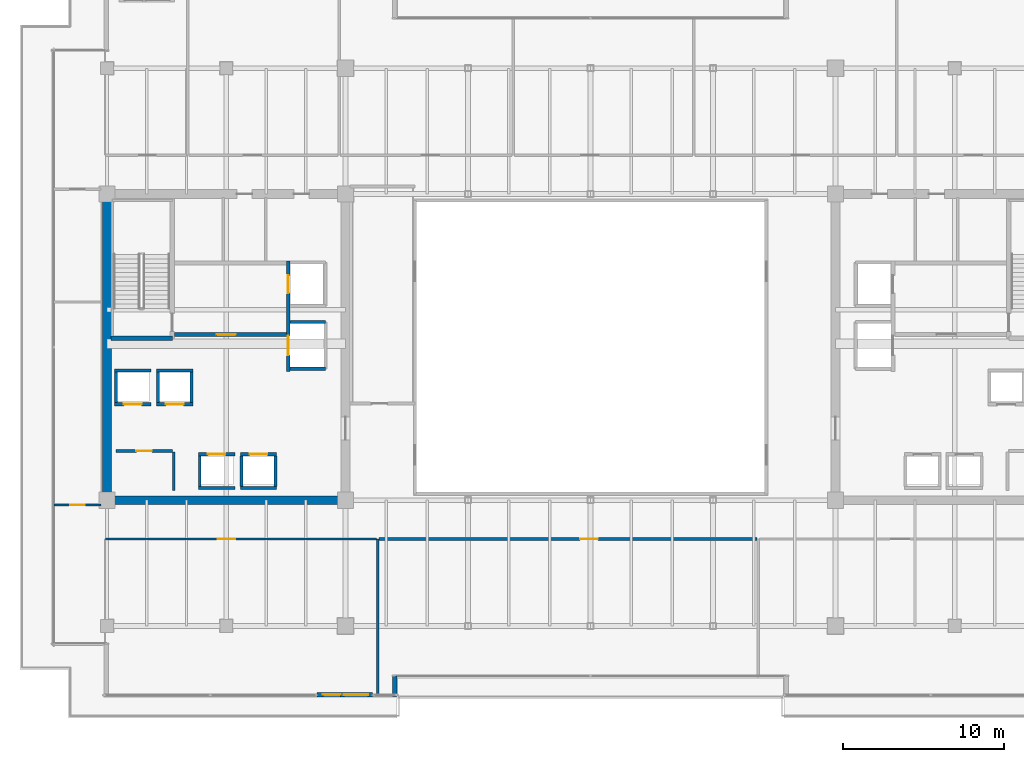
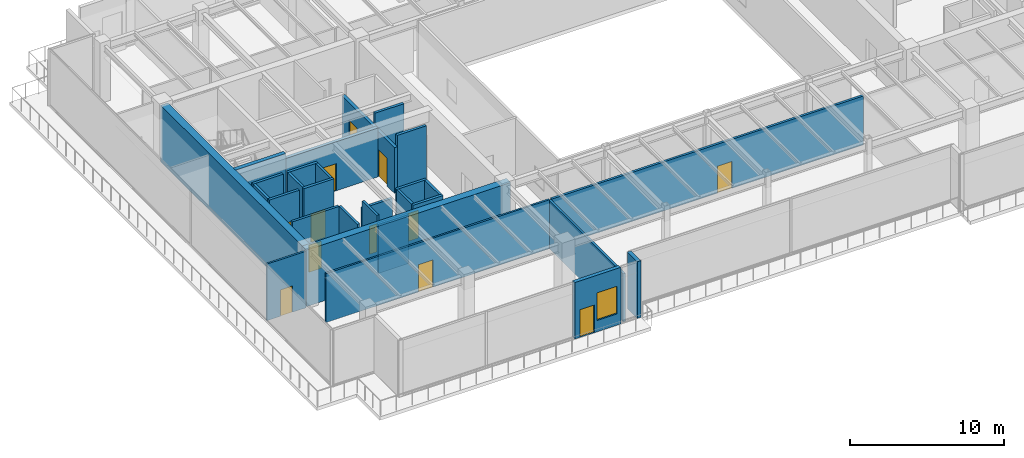
# One storey, part 28 of 37: 29 walls, 12 doors, 1 window, 13 openings.
"""IFC4 building model written with IfcOpenShell, lengths in metres."""

from ifc_helpers import new_model, si_unit, direction, frame, frame_2d, origin, place, context, subcontext, project, spatial, rectangle, extrude, source, transform, mapped, material, layer, layer_set, type_object, type_shapes, element, fill, save


model = new_model("IFC4")

# Units and contexts
model_context = context("Model", 3, precision=1e-05, world=origin(), true_north=direction((0.0, 1.0)))
body_context = subcontext(model_context, "Body", "Model", "MODEL_VIEW")
ifc_project = project(units=[si_unit("LENGTHUNIT", "METRE"), si_unit("AREAUNIT", "SQUARE_METRE"), si_unit("VOLUMEUNIT", "CUBIC_METRE"), si_unit("PLANEANGLEUNIT", "RADIAN"), si_unit("MASSUNIT", "GRAM", prefix="KILO")], contexts=[model_context])

# Site, building, storey
site_placement = place(None, origin())
site = spatial("IfcSite", under=ifc_project, at=site_placement, CompositionType="ELEMENT")
building_placement = place(site_placement, origin())
building = spatial("IfcBuilding", under=site, at=building_placement, Name="Haelvirn Gate Laboratories", CompositionType="ELEMENT")
storey_placement = place(building_placement, frame((0.0, 0.0, 196.60009765625)))
storey = spatial("IfcBuildingStorey", under=building, at=storey_placement, Name="L47", CompositionType="ELEMENT", Elevation=196.60009765625)

# Wall, openings, door, window
ifc_material_1 = material(Name="Thermally-broken bronze aluminium rainscreen & mineral wool", Category="aluminium")
ifc_layer_1 = layer(ifc_material_1, 0.280029296875, Name="EW-TERR-280")
ifc_layer_set_1 = layer_set([ifc_layer_1], Name="Thermally-broken bronze aluminium rainscreen & mineral wool")
wall_type_1 = type_object("IfcWallType", Name="EW-TERR-280", PredefinedType="STANDARD", material=ifc_layer_set_1)
wall_1_placement = place(storey_placement, frame((20.422119140625, 2.739990234375, 0.0), z_axis=(0.0, 0.0, 1.0), x_axis=(1.0, 0.0, 0.0)))
wall_1 = element("IfcWall", 1, at=wall_1_placement, inside=storey, type_object=wall_type_1, Name="L47 Terrace Access Wall SETB-S", PredefinedType="STANDARD", context=body_context, shape_type="SweptSolid", body=[
    extrude(rectangle(XDim=3.455810546875, YDim=0.280029296875, at=frame_2d((1.72802734375, 0.0))), origin(), (0.0, 0.0, 1.0), 4.5),
])
opening_1_placement = place(wall_1_placement, frame((0.3779296875, 0.0, 0.0)))
opening_1 = element("IfcOpeningElement", 2, at=opening_1_placement, cuts=wall_1, Name="Opening TD1", PredefinedType="OPENING", context=body_context, shape_type="SweptSolid", body=[
    extrude(rectangle(XDim=1.10009765625, YDim=2.199951171875, at=frame_2d((0.550048828125, 1.10009765625))), frame((0.0, 0.14990234375, 0.0), z_axis=(0.0, -1.0, 0.0), x_axis=(1.0, 0.0, 0.0)), (0.0, 0.0, 1.0), 0.300048828125),
])
opening_2_placement = place(wall_1_placement, frame((1.677978515625, 0.0, 0.89990234375)))
opening_2 = element("IfcOpeningElement", 3, at=opening_2_placement, cuts=wall_1, Name="Opening W3", PredefinedType="OPENING", context=body_context, shape_type="SweptSolid", body=[
    extrude(rectangle(XDim=1.5, YDim=2.199951171875, at=frame_2d((0.75, 1.10009765625))), frame((0.0, 0.14990234375, 0.0), z_axis=(0.0, -1.0, 0.0), x_axis=(1.0, 0.0, 0.0)), (0.0, 0.0, 1.0), 0.300048828125),
])
ifc_material_2 = material(Name="Thermally-broken bronze aluminium glazed terrace door", Category="aluminium")
door_type_1 = type_object("IfcDoorType", Name="DR-TERR-1100", OperationType="NOTDEFINED", PredefinedType="DOOR", material=ifc_material_2)
shared_shape_1 = source(origin(), body_context, "Body", "SweptSolid", [
    extrude(rectangle(XDim=1.10009765625, YDim=2.199951171875, at=frame_2d((0.550048828125, 1.10009765625))), frame((0.0, 0.02490234375, 0.0), z_axis=(0.0, -1.0, 0.0), x_axis=(1.0, 0.0, 0.0)), (0.0, 0.0, 1.0), 0.050048828125),
])
type_shapes(door_type_1, [shared_shape_1])
door_1_placement = place(opening_1_placement, origin())
door_1 = element("IfcDoor", 4, at=door_1_placement, inside=storey, type_object=door_type_1, Name="L47 Terrace Access Door SETB-S", OperationType="SINGLE_SWING_LEFT", OverallHeight=2.199951171875, OverallWidth=1.10009765625, PredefinedType="DOOR", context=body_context, shape_type="MappedRepresentation", body=[
    mapped(shared_shape_1, transform((0.0, 0.0, 0.0), scale=1.0)),
])
fill(opening_1, door_1)
ifc_material_3 = material(Name="Bronze anodised aluminium & triple low-E glass", Category="aluminium")
window_type = type_object("IfcWindowType", Name="WIN-TERR-1600", PartitioningType="SINGLE_PANEL", PredefinedType="WINDOW", material=ifc_material_3)
shared_shape_2 = source(origin(), body_context, "Body", "SweptSolid", [
    extrude(rectangle(XDim=1.5, YDim=2.199951171875, at=frame_2d((0.75, 1.10009765625))), frame((0.0, 0.030029296875, 0.0), z_axis=(0.0, -1.0, 0.0), x_axis=(1.0, 0.0, 0.0)), (0.0, 0.0, 1.0), 0.06005859375),
])
type_shapes(window_type, [shared_shape_2])
window_placement = place(opening_2_placement, origin())
window = element("IfcWindow", 5, at=window_placement, inside=storey, type_object=window_type, Name="L47 Terrace Vision Window SETB-S", OverallHeight=2.199951171875, OverallWidth=1.5, PartitioningType="SINGLE_PANEL", PredefinedType="WINDOW", context=body_context, shape_type="MappedRepresentation", body=[
    mapped(shared_shape_2, transform((0.0, 0.0, 0.0), scale=1.0)),
])
fill(opening_2, window)

# Walls
wall_2_placement = place(storey_placement, frame((25.260009765625, 2.60009765625, 0.0), z_axis=(0.0, 0.0, 1.0), x_axis=(0.0, 1.0, 0.0)))
element("IfcWall", 6, at=wall_2_placement, inside=storey, type_object=wall_type_1, Name="L47 Atrium Recess Bronze Return Wall 01", PredefinedType="STANDARD", context=body_context, shape_type="SweptSolid", body=[
    extrude(rectangle(XDim=1.29296875, YDim=0.280029296875, at=frame_2d((0.646484375, 0.0))), origin(), (0.0, 0.0, 1.0), 4.5),
])
ifc_material_4 = material(Name="Double-layer acoustic gypsum laboratory partition", Category="gypsum")
ifc_layer_2 = layer(ifc_material_4, 0.159912109375, Name="IW-ACOUST-160")
ifc_layer_set_2 = layer_set([ifc_layer_2], Name="Double-layer acoustic gypsum laboratory partition")
wall_type_2 = type_object("IfcWallType", Name="IW-ACOUST-160", PredefinedType="PARTITIONING", material=ifc_layer_set_2)
wall_3_placement = place(storey_placement, frame((24.199951171875, 2.7099609375, 0.0), z_axis=(0.0, 0.0, 1.0), x_axis=(0.0, 1.0, 0.0)))
element("IfcWall", 7, at=wall_3_placement, inside=storey, type_object=wall_type_2, Name="L47 Interior Wall IW-L47-SDIV-01", PredefinedType="PARTITIONING", context=body_context, shape_type="SweptSolid", body=[
    extrude(rectangle(XDim=9.679931640625, YDim=0.159912109375, at=frame_2d((4.83984375, 0.0))), origin(), (0.0, 0.0, 1.0), 3.8349609375),
])

# Wall, opening, door
ifc_material_5 = material(Name="Fire-rated acoustic gypsum board partition", Category="gypsum")
ifc_layer_3 = layer(ifc_material_5, 0.175048828125, Name="IW-ACOUST-180")
ifc_layer_set_3 = layer_set([ifc_layer_3], Name="Fire-rated acoustic gypsum board partition")
wall_type_3 = type_object("IfcWallType", Name="IW-ACOUST-180", PredefinedType="PARTITIONING", material=ifc_layer_set_3)
wall_4_placement = place(storey_placement, frame((24.280029296875, 12.389892578125, 0.0), z_axis=(0.0, 0.0, 1.0), x_axis=(1.0, 0.0, 0.0)))
wall_4 = element("IfcWall", 8, at=wall_4_placement, inside=storey, type_object=wall_type_3, Name="L47 Interior Wall IW-L47-SCORR-02", PredefinedType="PARTITIONING", context=body_context, shape_type="SweptSolid", body=[
    extrude(rectangle(XDim=23.43994140625, YDim=0.175048828125, at=frame_2d((11.719970703125, 0.0))), origin(), (0.0, 0.0, 1.0), 3.89697265625),
])
opening_3_placement = place(wall_4_placement, frame((12.468505859375, 0.0, 0.0)))
opening_3 = element("IfcOpeningElement", 9, at=opening_3_placement, cuts=wall_4, Name="Opening FD3", PredefinedType="OPENING", context=body_context, shape_type="SweptSolid", body=[
    extrude(rectangle(XDim=1.10009765625, YDim=2.14990234375, at=frame_2d((0.550048828125, 1.074951171875))), frame((0.0, 0.09765625, 0.0), z_axis=(0.0, -1.0, 0.0), x_axis=(1.0, 0.0, 0.0)), (0.0, 0.0, 1.0), 0.195068359375),
])
ifc_material_6 = material(Name="Fire-rated steel SM355 escape stair door", Category="steel")
door_type_2 = type_object("IfcDoorType", Name="DR-FD-1100", OperationType="NOTDEFINED", PredefinedType="DOOR", material=ifc_material_6)
shared_shape_3 = source(origin(), body_context, "Body", "SweptSolid", [
    extrude(rectangle(XDim=1.10009765625, YDim=2.14990234375, at=frame_2d((0.550048828125, 1.074951171875))), frame((0.0, 0.02490234375, 0.0), z_axis=(0.0, -1.0, 0.0), x_axis=(1.0, 0.0, 0.0)), (0.0, 0.0, 1.0), 0.050048828125),
])
type_shapes(door_type_2, [shared_shape_3])
door_2_placement = place(opening_3_placement, origin())
door_2 = element("IfcDoor", 10, at=door_2_placement, inside=storey, type_object=door_type_2, Name="L47 Sky Lobby Transfer Concourse Door S2", OperationType="SINGLE_SWING_LEFT", OverallHeight=2.14990234375, OverallWidth=1.10009765625, PredefinedType="DOOR", context=body_context, shape_type="MappedRepresentation", body=[
    mapped(shared_shape_3, transform((0.0, 0.0, 0.0), scale=1.0)),
])
fill(opening_3, door_2)

ifc_material_7 = material(Name="Acoustic mineral-wool gypsum board partition", Category="gypsum")
ifc_layer_4 = layer(ifc_material_7, 0.139892578125, Name="IW-PART-140")
ifc_layer_set_4 = layer_set([ifc_layer_4], Name="Acoustic mineral-wool gypsum board partition")
wall_type_4 = type_object("IfcWallType", Name="IW-PART-140", PredefinedType="PARTITIONING", material=ifc_layer_set_4)
wall_5_placement = place(storey_placement, frame((7.31005859375, 12.389892578125, 0.0), z_axis=(0.0, 0.0, 1.0), x_axis=(1.0, 0.0, 0.0)))
wall_5 = element("IfcWall", 11, at=wall_5_placement, inside=storey, type_object=wall_type_4, Name="L47 Interior Wall IW-L47-SCORR-01", PredefinedType="PARTITIONING", context=body_context, shape_type="SweptSolid", body=[
    extrude(rectangle(XDim=16.81005859375, YDim=0.139892578125, at=frame_2d((8.405029296875, 0.0))), origin(), (0.0, 0.0, 1.0), 3.89697265625),
])
opening_4_placement = place(wall_5_placement, frame((6.954345703125, 0.0, 0.0)))
opening_4 = element("IfcOpeningElement", 12, at=opening_4_placement, cuts=wall_5, Name="Opening D1", PredefinedType="OPENING", context=body_context, shape_type="SweptSolid", body=[
    extrude(rectangle(XDim=1.10009765625, YDim=2.179931640625, at=frame_2d((0.550048828125, 1.08984375))), frame((0.0, 0.080078125, 0.0), z_axis=(0.0, -1.0, 0.0), x_axis=(1.0, 0.0, 0.0)), (0.0, 0.0, 1.0), 0.159912109375),
])
ifc_material_8 = material(Name="Vision-panel acoustic solid-core timber lab door", Category="wood")
door_type_3 = type_object("IfcDoorType", Name="DR-LAB-1100", OperationType="NOTDEFINED", PredefinedType="DOOR", material=ifc_material_8)
shared_shape_4 = source(origin(), body_context, "Body", "SweptSolid", [
    extrude(rectangle(XDim=1.10009765625, YDim=2.179931640625, at=frame_2d((0.550048828125, 1.08984375))), frame((0.0, 0.02490234375, 0.0), z_axis=(0.0, -1.0, 0.0), x_axis=(1.0, 0.0, 0.0)), (0.0, 0.0, 1.0), 0.050048828125),
])
type_shapes(door_type_3, [shared_shape_4])
door_3_placement = place(opening_4_placement, origin())
door_3 = element("IfcDoor", 13, at=door_3_placement, inside=storey, type_object=door_type_3, Name="L47 West Sky Fellows Reading Lounge Door S1", OperationType="SINGLE_SWING_RIGHT", OverallHeight=2.179931640625, OverallWidth=1.10009765625, PredefinedType="DOOR", context=body_context, shape_type="MappedRepresentation", body=[
    mapped(shared_shape_4, transform((0.0, 0.0, 0.0), scale=1.0)),
])
fill(opening_4, door_3)

wall_6_placement = place(storey_placement, frame((4.110107421875, 14.5048828125, 0.0), z_axis=(0.0, 0.0, 1.0), x_axis=(1.0, 0.0, 0.0)))
wall_6 = element("IfcWall", 14, at=wall_6_placement, inside=storey, type_object=wall_type_4, Name="L47 Interior Wall IW-L47-WZ3-ENT-S", PredefinedType="PARTITIONING", context=body_context, shape_type="SweptSolid", body=[
    extrude(rectangle(XDim=2.909912109375, YDim=0.139892578125, at=frame_2d((1.455078125, 0.0))), origin(), (0.0, 0.0, 1.0), 4.5),
])
opening_5_placement = place(wall_6_placement, frame((1.0048828125, 0.0, 0.0)))
opening_5 = element("IfcOpeningElement", 15, at=opening_5_placement, cuts=wall_6, Name="Opening D4", PredefinedType="OPENING", context=body_context, shape_type="SweptSolid", body=[
    extrude(rectangle(XDim=0.89990234375, YDim=2.10009765625, at=frame_2d((0.449951171875, 1.050048828125))), frame((0.0, 0.080078125, 0.0), z_axis=(0.0, -1.0, 0.0), x_axis=(1.0, 0.0, 0.0)), (0.0, 0.0, 1.0), 0.159912109375),
])
ifc_material_9 = material(Name="Glazed aluminium-framed write-up door", Category="aluminium")
door_type_4 = type_object("IfcDoorType", Name="DR-OFF-900", OperationType="NOTDEFINED", PredefinedType="DOOR", material=ifc_material_9)
shared_shape_5 = source(origin(), body_context, "Body", "SweptSolid", [
    extrude(rectangle(XDim=0.89990234375, YDim=2.10009765625, at=frame_2d((0.449951171875, 1.050048828125))), frame((0.0, 0.02490234375, 0.0), z_axis=(0.0, -1.0, 0.0), x_axis=(1.0, 0.0, 0.0)), (0.0, 0.0, 1.0), 0.050048828125),
])
type_shapes(door_type_4, [shared_shape_5])
door_4_placement = place(opening_5_placement, origin())
door_4 = element("IfcDoor", 16, at=door_4_placement, inside=storey, type_object=door_type_4, Name="L47 Bioinformatics Dry-Lab Workspace Door W-S", OperationType="SINGLE_SWING_LEFT", OverallHeight=2.10009765625, OverallWidth=0.89990234375, PredefinedType="DOOR", context=body_context, shape_type="MappedRepresentation", body=[
    mapped(shared_shape_5, transform((0.0, 0.0, 0.0), scale=1.0)),
])
fill(opening_5, door_4)

# Walls
ifc_material_10 = material(Name="Concrete C40/50", Category="concrete")
ifc_layer_5 = layer(ifc_material_10, 0.179931640625, Name="IW-SHAFT-180")
ifc_layer_set_5 = layer_set([ifc_layer_5], Name="Concrete C40/50")
wall_type_5 = type_object("IfcWallType", Name="IW-SHAFT-180", PredefinedType="SOLIDWALL", material=ifc_layer_set_5)
for number, where, z_axis, x_axis, name in (
    (17, (13.14990234375, 15.64990234375, 0.0), (0.0, 0.0, 1.0), (0.0, 1.0, 0.0), "L47 Interior Wall IW-L47-PL5-SD"),
    (18, (15.75, 15.64990234375, 0.0), (0.0, 0.0, 1.0), (0.0, 1.0, 0.0), "L47 Interior Wall IW-L47-PL6-SD"),
    (19, (17.85009765625, 15.64990234375, 0.0), (0.0, 0.0, 1.0), (0.0, 1.0, 0.0), "L47 Interior Wall IW-L47-PL6-SDE"),
):
    element("IfcWall", number, at=place(storey_placement, frame(where, z_axis=z_axis, x_axis=x_axis)), inside=storey, type_object=wall_type_5, Name=name, PredefinedType="SOLIDWALL", context=body_context, shape_type="SweptSolid", body=[
        extrude(rectangle(XDim=1.900146484375, YDim=0.179931640625, at=frame_2d((0.9501953125, 0.0))), origin(), (0.0, 0.0, 1.0), 4.5),
    ])
for number, where, z_axis, x_axis, name in (
    (20, (7.949951171875, 20.85009765625, 0.0), (0.0, 0.0, 1.0), (0.0, 1.0, 0.0), "L47 Interior Wall IW-L47-PL9-SD"),
    (21, (10.550048828125, 20.85009765625, 0.0), (0.0, 0.0, 1.0), (0.0, 1.0, 0.0), "L47 Interior Wall IW-L47-PL10-SD"),
    (22, (12.64990234375, 20.85009765625, 0.0), (0.0, 0.0, 1.0), (0.0, 1.0, 0.0), "L47 Interior Wall IW-L47-PL10-SDE"),
):
    element("IfcWall", number, at=place(storey_placement, frame(where, z_axis=z_axis, x_axis=x_axis)), inside=storey, type_object=wall_type_5, Name=name, PredefinedType="SOLIDWALL", context=body_context, shape_type="SweptSolid", body=[
        extrude(rectangle(XDim=1.89990234375, YDim=0.179931640625, at=frame_2d((0.949951171875, 0.0))), origin(), (0.0, 0.0, 1.0), 4.5),
    ])

# Wall, opening, door
wall_7_placement = place(storey_placement, frame((7.949951171875, 17.85009765625, 0.0), z_axis=(0.0, 0.0, 1.0), x_axis=(1.0, 0.0, 0.0)))
wall_7 = element("IfcWall", 23, at=wall_7_placement, inside=storey, type_object=wall_type_5, Name="L47 Interior Wall IW-L47-W-FREED-LN-1", PredefinedType="SOLIDWALL", context=body_context, shape_type="SweptSolid", body=[
    extrude(rectangle(XDim=3.5, YDim=0.179931640625, at=frame_2d((1.75, 0.0))), origin(), (0.0, 0.0, 1.0), 4.5),
])
opening_6_placement = place(wall_7_placement, frame((1.27490234375, 0.0, 0.0)))
opening_6 = element("IfcOpeningElement", 24, at=opening_6_placement, cuts=wall_7, Name="Opening FD4", PredefinedType="OPENING", context=body_context, shape_type="SweptSolid", body=[
    extrude(rectangle(XDim=0.949951171875, YDim=2.14990234375, at=frame_2d((0.47509765625, 1.074951171875))), frame((0.0, 0.10009765625, 0.0), z_axis=(0.0, -1.0, 0.0), x_axis=(1.0, 0.0, 0.0)), (0.0, 0.0, 1.0), 0.199951171875),
])
ifc_material_11 = material(Name="Fire-rated steel SM355 core service door", Category="steel")
door_type_5 = type_object("IfcDoorType", Name="DR-FD-950", OperationType="NOTDEFINED", PredefinedType="DOOR", material=ifc_material_11)
shared_shape_6 = source(origin(), body_context, "Body", "SweptSolid", [
    extrude(rectangle(XDim=0.949951171875, YDim=2.14990234375, at=frame_2d((0.47509765625, 1.074951171875))), frame((0.0, 0.02490234375, 0.0), z_axis=(0.0, -1.0, 0.0), x_axis=(1.0, 0.0, 0.0)), (0.0, 0.0, 1.0), 0.050048828125),
])
type_shapes(door_type_5, [shared_shape_6])
door_5_placement = place(opening_6_placement, origin())
door_5 = element("IfcDoor", 25, at=door_5_placement, inside=storey, type_object=door_type_5, Name="L47 Core Calibration Room Door", OperationType="SINGLE_SWING_LEFT", OverallHeight=2.14990234375, OverallWidth=0.949951171875, PredefinedType="DOOR", context=body_context, shape_type="MappedRepresentation", body=[
    mapped(shared_shape_6, transform((0.0, 0.0, 0.0), scale=1.0)),
])
fill(opening_6, door_5)

# Wall
wall_8_placement = place(storey_placement, frame((11.5400390625, 15.39990234375, 0.0), z_axis=(0.0, 0.0, 1.0), x_axis=(0.0, 1.0, 0.0)))
element("IfcWall", 26, at=wall_8_placement, inside=storey, type_object=wall_type_5, Name="L47 Interior Wall IW-L47-W-FREED-LE-1", PredefinedType="SOLIDWALL", context=body_context, shape_type="SweptSolid", body=[
    extrude(rectangle(XDim=2.400146484375, YDim=0.179931640625, at=frame_2d((1.2001953125, 0.0))), origin(), (0.0, 0.0, 1.0), 4.5),
])

# Wall, opening, door
ifc_layer_6 = layer(ifc_material_10, 0.199951171875, Name="IW-SHAFT-200")
ifc_layer_set_6 = layer_set([ifc_layer_6], Name="Concrete C40/50")
wall_type_6 = type_object("IfcWallType", Name="IW-SHAFT-200", PredefinedType="SOLIDWALL", material=ifc_layer_set_6)
wall_9_placement = place(storey_placement, frame((13.070068359375, 17.64990234375, 0.0), z_axis=(0.0, 0.0, 1.0), x_axis=(1.0, 0.0, 0.0)))
wall_9 = element("IfcWall", 27, at=wall_9_placement, inside=storey, type_object=wall_type_6, Name="L47 Interior Wall IW-L47-PL5-FR", PredefinedType="SOLIDWALL", context=body_context, shape_type="SweptSolid", body=[
    extrude(rectangle(XDim=2.260009765625, YDim=0.199951171875, at=frame_2d((1.1298828125, 0.0))), origin(), (0.0, 0.0, 1.0), 3.89697265625),
])
opening_7_placement = place(wall_9_placement, frame((0.580078125, 0.0, 0.0)))
opening_7 = element("IfcOpeningElement", 28, at=opening_7_placement, cuts=wall_9, Name="Opening LD2", PredefinedType="OPENING", context=body_context, shape_type="SweptSolid", body=[
    extrude(rectangle(XDim=1.10009765625, YDim=2.219970703125, at=frame_2d((0.550048828125, 1.10986328125))), frame((0.0, 0.10986328125, 0.0), z_axis=(0.0, -1.0, 0.0), x_axis=(1.0, 0.0, 0.0)), (0.0, 0.0, 1.0), 0.219970703125),
])
ifc_material_12 = material(Name="Bronze stainless 316L sliding lift landing door")
door_type_6 = type_object("IfcDoorType", Name="DR-LD-1100", OperationType="NOTDEFINED", PredefinedType="USERDEFINED", material=ifc_material_12)
shared_shape_7 = source(origin(), body_context, "Body", "SweptSolid", [
    extrude(rectangle(XDim=1.10009765625, YDim=2.219970703125, at=frame_2d((0.550048828125, 1.10986328125))), frame((0.0, 0.02490234375, 0.0), z_axis=(0.0, -1.0, 0.0), x_axis=(1.0, 0.0, 0.0)), (0.0, 0.0, 1.0), 0.050048828125),
])
type_shapes(door_type_6, [shared_shape_7])
door_6_placement = place(opening_7_placement, origin())
door_6 = element("IfcDoor", 29, at=door_6_placement, inside=storey, type_object=door_type_6, Name="L47 Passenger Lift PL5 Landing Door", ObjectType="LANDING_DOOR", OperationType="SLIDING_TO_LEFT", OverallHeight=2.219970703125, OverallWidth=1.10009765625, PredefinedType="USERDEFINED", context=body_context, shape_type="MappedRepresentation", body=[
    mapped(shared_shape_7, transform((0.0, 0.0, 0.0), scale=1.0)),
])
fill(opening_7, door_6)

# Wall
wall_10_placement = place(storey_placement, frame((13.070068359375, 15.550048828125, 0.0), z_axis=(0.0, 0.0, 1.0), x_axis=(1.0, 0.0, 0.0)))
element("IfcWall", 30, at=wall_10_placement, inside=storey, type_object=wall_type_6, Name="L47 Interior Wall IW-L47-PL5-BK", PredefinedType="SOLIDWALL", context=body_context, shape_type="SweptSolid", body=[
    extrude(rectangle(XDim=2.260009765625, YDim=0.199951171875, at=frame_2d((1.1298828125, 0.0))), origin(), (0.0, 0.0, 1.0), 3.89697265625),
])

# Wall, opening, door
wall_11_placement = place(storey_placement, frame((15.669921875, 17.64990234375, 0.0), z_axis=(0.0, 0.0, 1.0), x_axis=(1.0, 0.0, 0.0)))
wall_11 = element("IfcWall", 31, at=wall_11_placement, inside=storey, type_object=wall_type_6, Name="L47 Interior Wall IW-L47-PL6-FR", PredefinedType="SOLIDWALL", context=body_context, shape_type="SweptSolid", body=[
    extrude(rectangle(XDim=2.260009765625, YDim=0.199951171875, at=frame_2d((1.1298828125, 0.0))), origin(), (0.0, 0.0, 1.0), 4.5),
])
opening_8_placement = place(wall_11_placement, frame((0.580078125, 0.0, 0.0)))
opening_8 = element("IfcOpeningElement", 32, at=opening_8_placement, cuts=wall_11, Name="Opening LD2", PredefinedType="OPENING", context=body_context, shape_type="SweptSolid", body=[
    extrude(rectangle(XDim=1.10009765625, YDim=2.219970703125, at=frame_2d((0.550048828125, 1.10986328125))), frame((0.0, 0.10986328125, 0.0), z_axis=(0.0, -1.0, 0.0), x_axis=(1.0, 0.0, 0.0)), (0.0, 0.0, 1.0), 0.219970703125),
])
door_7_placement = place(opening_8_placement, origin())
door_7 = element("IfcDoor", 33, at=door_7_placement, inside=storey, type_object=door_type_6, Name="L47 Passenger Lift PL6 Landing Door", ObjectType="LANDING_DOOR", OperationType="SLIDING_TO_RIGHT", OverallHeight=2.219970703125, OverallWidth=1.10009765625, PredefinedType="USERDEFINED", context=body_context, shape_type="MappedRepresentation", body=[
    mapped(shared_shape_7, transform((0.0, 0.0, 0.0), scale=1.0)),
])
fill(opening_8, door_7)

# Wall
wall_12_placement = place(storey_placement, frame((15.669921875, 15.550048828125, 0.0), z_axis=(0.0, 0.0, 1.0), x_axis=(1.0, 0.0, 0.0)))
element("IfcWall", 34, at=wall_12_placement, inside=storey, type_object=wall_type_6, Name="L47 Interior Wall IW-L47-PL6-BK", PredefinedType="SOLIDWALL", context=body_context, shape_type="SweptSolid", body=[
    extrude(rectangle(XDim=2.260009765625, YDim=0.199951171875, at=frame_2d((1.1298828125, 0.0))), origin(), (0.0, 0.0, 1.0), 4.5),
])

# Wall, opening, door
wall_13_placement = place(storey_placement, frame((7.8701171875, 20.75, 0.0), z_axis=(0.0, 0.0, 1.0), x_axis=(1.0, 0.0, 0.0)))
wall_13 = element("IfcWall", 35, at=wall_13_placement, inside=storey, type_object=wall_type_6, Name="L47 Interior Wall IW-L47-PL9-FR", PredefinedType="SOLIDWALL", context=body_context, shape_type="SweptSolid", body=[
    extrude(rectangle(XDim=2.259765625, YDim=0.199951171875, at=frame_2d((1.1298828125, 0.0))), origin(), (0.0, 0.0, 1.0), 4.5),
])
opening_9_placement = place(wall_13_placement, frame((0.580078125, 0.0, 0.0)))
opening_9 = element("IfcOpeningElement", 36, at=opening_9_placement, cuts=wall_13, Name="Opening LD2", PredefinedType="OPENING", context=body_context, shape_type="SweptSolid", body=[
    extrude(rectangle(XDim=1.10009765625, YDim=2.219970703125, at=frame_2d((0.550048828125, 1.10986328125))), frame((0.0, 0.10986328125, 0.0), z_axis=(0.0, -1.0, 0.0), x_axis=(1.0, 0.0, 0.0)), (0.0, 0.0, 1.0), 0.219970703125),
])
door_8_placement = place(opening_9_placement, origin())
door_8 = element("IfcDoor", 37, at=door_8_placement, inside=storey, type_object=door_type_6, Name="L47 Passenger Lift PL9 Landing Door", ObjectType="LANDING_DOOR", OperationType="SLIDING_TO_LEFT", OverallHeight=2.219970703125, OverallWidth=1.10009765625, PredefinedType="USERDEFINED", context=body_context, shape_type="MappedRepresentation", body=[
    mapped(shared_shape_7, transform((0.0, 0.0, 0.0), scale=1.0)),
])
fill(opening_9, door_8)

# Wall
wall_14_placement = place(storey_placement, frame((7.8701171875, 22.85009765625, 0.0), z_axis=(0.0, 0.0, 1.0), x_axis=(1.0, 0.0, 0.0)))
element("IfcWall", 38, at=wall_14_placement, inside=storey, type_object=wall_type_6, Name="L47 Interior Wall IW-L47-PL9-BK", PredefinedType="SOLIDWALL", context=body_context, shape_type="SweptSolid", body=[
    extrude(rectangle(XDim=2.259765625, YDim=0.199951171875, at=frame_2d((1.1298828125, 0.0))), origin(), (0.0, 0.0, 1.0), 4.5),
])

# Wall, opening, door
wall_15_placement = place(storey_placement, frame((10.469970703125, 20.75, 0.0), z_axis=(0.0, 0.0, 1.0), x_axis=(1.0, 0.0, 0.0)))
wall_15 = element("IfcWall", 39, at=wall_15_placement, inside=storey, type_object=wall_type_6, Name="L47 Interior Wall IW-L47-PL10-FR", PredefinedType="SOLIDWALL", context=body_context, shape_type="SweptSolid", body=[
    extrude(rectangle(XDim=2.260009765625, YDim=0.199951171875, at=frame_2d((1.1298828125, 0.0))), origin(), (0.0, 0.0, 1.0), 4.5),
])
opening_10_placement = place(wall_15_placement, frame((0.580078125, 0.0, 0.0)))
opening_10 = element("IfcOpeningElement", 40, at=opening_10_placement, cuts=wall_15, Name="Opening LD2", PredefinedType="OPENING", context=body_context, shape_type="SweptSolid", body=[
    extrude(rectangle(XDim=1.10009765625, YDim=2.219970703125, at=frame_2d((0.550048828125, 1.10986328125))), frame((0.0, 0.10986328125, 0.0), z_axis=(0.0, -1.0, 0.0), x_axis=(1.0, 0.0, 0.0)), (0.0, 0.0, 1.0), 0.219970703125),
])
door_9_placement = place(opening_10_placement, origin())
door_9 = element("IfcDoor", 41, at=door_9_placement, inside=storey, type_object=door_type_6, Name="L47 Passenger Lift PL10 Landing Door", ObjectType="LANDING_DOOR", OperationType="SLIDING_TO_RIGHT", OverallHeight=2.219970703125, OverallWidth=1.10009765625, PredefinedType="USERDEFINED", context=body_context, shape_type="MappedRepresentation", body=[
    mapped(shared_shape_7, transform((0.0, 0.0, 0.0), scale=1.0)),
])
fill(opening_10, door_9)

# Walls
wall_16_placement = place(storey_placement, frame((10.469970703125, 22.85009765625, 0.0), z_axis=(0.0, 0.0, 1.0), x_axis=(1.0, 0.0, 0.0)))
element("IfcWall", 42, at=wall_16_placement, inside=storey, type_object=wall_type_6, Name="L47 Interior Wall IW-L47-PL10-BK", PredefinedType="SOLIDWALL", context=body_context, shape_type="SweptSolid", body=[
    extrude(rectangle(XDim=2.260009765625, YDim=0.199951171875, at=frame_2d((1.1298828125, 0.0))), origin(), (0.0, 0.0, 1.0), 4.5),
])
for number, where, z_axis, x_axis, name in (
    (43, (18.760009765625, 25.85009765625, 0.0), (0.0, 0.0, 1.0), (1.0, 0.0, 0.0), "L47 Interior Wall IW-L47-SL1-N"),
    (44, (18.760009765625, 22.949951171875, 0.0), (0.0, 0.0, 1.0), (1.0, 0.0, 0.0), "L47 Interior Wall IW-L47-SL1-S"),
):
    element("IfcWall", number, at=place(storey_placement, frame(where, z_axis=z_axis, x_axis=x_axis)), inside=storey, type_object=wall_type_6, Name=name, PredefinedType="SOLIDWALL", context=body_context, shape_type="SweptSolid", body=[
        extrude(rectangle(XDim=2.18994140625, YDim=0.199951171875, at=frame_2d((1.094970703125, 0.0))), origin(), (0.0, 0.0, 1.0), 4.5),
    ])

# Wall, opening, door
ifc_layer_7 = layer(ifc_material_10, 0.239990234375, Name="IW-SHAFT-240")
ifc_layer_set_7 = layer_set([ifc_layer_7], Name="Concrete C40/50")
wall_type_7 = type_object("IfcWallType", Name="IW-SHAFT-240", PredefinedType="SOLIDWALL", material=ifc_layer_set_7)
wall_17_placement = place(storey_placement, frame((11.60009765625, 25.080078125, 0.0), z_axis=(0.0, 0.0, 1.0), x_axis=(1.0, 0.0, 0.0)))
wall_17 = element("IfcWall", 45, at=wall_17_placement, inside=storey, type_object=wall_type_7, Name="L47 Interior Wall IW-L47-W-FF-S", PredefinedType="SOLIDWALL", context=body_context, shape_type="SweptSolid", body=[
    extrude(rectangle(XDim=6.919921875, YDim=0.239990234375, at=frame_2d((3.4599609375, 0.0))), origin(), (0.0, 0.0, 1.0), 3.89697265625),
])
opening_11_placement = place(wall_17_placement, frame((2.60009765625, 0.0, 0.0)))
opening_11 = element("IfcOpeningElement", 46, at=opening_11_placement, cuts=wall_17, Name="Opening FD2", PredefinedType="OPENING", context=body_context, shape_type="SweptSolid", body=[
    extrude(rectangle(XDim=1.199951171875, YDim=2.159912109375, at=frame_2d((0.60009765625, 1.080078125))), frame((0.0, 0.1298828125, 0.0), z_axis=(0.0, -1.0, 0.0), x_axis=(1.0, 0.0, 0.0)), (0.0, 0.0, 1.0), 0.260009765625),
])
ifc_material_13 = material(Name="Fire-rated steel SM355 compartment door", Category="steel")
door_type_7 = type_object("IfcDoorType", Name="DR-FD-1200", OperationType="NOTDEFINED", PredefinedType="DOOR", material=ifc_material_13)
shared_shape_8 = source(origin(), body_context, "Body", "SweptSolid", [
    extrude(rectangle(XDim=1.199951171875, YDim=2.159912109375, at=frame_2d((0.60009765625, 1.080078125))), frame((0.0, 0.02490234375, 0.0), z_axis=(0.0, -1.0, 0.0), x_axis=(1.0, 0.0, 0.0)), (0.0, 0.0, 1.0), 0.050048828125),
])
type_shapes(door_type_7, [shared_shape_8])
door_10_placement = place(opening_11_placement, origin())
door_10 = element("IfcDoor", 47, at=door_10_placement, inside=storey, type_object=door_type_7, Name="L47 West Firefighting Lobby Door", OperationType="SINGLE_SWING_RIGHT", OverallHeight=2.159912109375, OverallWidth=1.199951171875, PredefinedType="DOOR", context=body_context, shape_type="MappedRepresentation", body=[
    mapped(shared_shape_8, transform((0.0, 0.0, 0.0), scale=1.0)),
])
fill(opening_11, door_10)

# Wall, openings, doors
wall_18_placement = place(storey_placement, frame((18.639892578125, 22.800048828125, 0.0), z_axis=(0.0, 0.0, 1.0), x_axis=(0.0, 1.0, 0.0)))
wall_18 = element("IfcWall", 48, at=wall_18_placement, inside=storey, type_object=wall_type_7, Name="L47 Interior Wall IW-L47-W-FF-E", PredefinedType="SOLIDWALL", context=body_context, shape_type="SweptSolid", body=[
    extrude(rectangle(XDim=6.849853515625, YDim=0.239990234375, at=frame_2d((3.4248046875, 0.0))), origin(), (0.0, 0.0, 1.0), 3.635009765625),
])
opening_12_placement = place(wall_18_placement, frame((4.85009765625, 0.0, 0.0)))
opening_12 = element("IfcOpeningElement", 49, at=opening_12_placement, cuts=wall_18, Name="Opening LD2", PredefinedType="OPENING", context=body_context, shape_type="SweptSolid", body=[
    extrude(rectangle(XDim=1.10009765625, YDim=2.219970703125, at=frame_2d((0.550048828125, 1.10986328125))), frame((0.0, 0.1298828125, 0.0), z_axis=(0.0, -1.0, 0.0), x_axis=(1.0, 0.0, 0.0)), (0.0, 0.0, 1.0), 0.260009765625),
])
opening_13_placement = place(wall_18_placement, frame((1.0, 0.0, 0.0)))
opening_13 = element("IfcOpeningElement", 50, at=opening_13_placement, cuts=wall_18, Name="Opening LD1", PredefinedType="OPENING", context=body_context, shape_type="SweptSolid", body=[
    extrude(rectangle(XDim=1.199951171875, YDim=2.219970703125, at=frame_2d((0.60009765625, 1.10986328125))), frame((0.0, 0.1298828125, 0.0), z_axis=(0.0, -1.0, 0.0), x_axis=(1.0, 0.0, 0.0)), (0.0, 0.0, 1.0), 0.260009765625),
])
door_11_placement = place(opening_12_placement, origin())
door_11 = element("IfcDoor", 51, at=door_11_placement, inside=storey, type_object=door_type_6, Name="L47 Firefighting Lift FL1 Landing Door", ObjectType="LANDING_DOOR", OperationType="SLIDING_TO_LEFT", OverallHeight=2.219970703125, OverallWidth=1.10009765625, PredefinedType="USERDEFINED", context=body_context, shape_type="MappedRepresentation", body=[
    mapped(shared_shape_7, transform((0.0, 0.0, 0.0), scale=1.0)),
])
fill(opening_12, door_11)
ifc_material_14 = material(Name="Stainless steel 316L sliding goods landing door", Category="steel")
door_type_8 = type_object("IfcDoorType", Name="DR-LD-1200", OperationType="NOTDEFINED", PredefinedType="USERDEFINED", material=ifc_material_14)
shared_shape_9 = source(origin(), body_context, "Body", "SweptSolid", [
    extrude(rectangle(XDim=1.199951171875, YDim=2.219970703125, at=frame_2d((0.60009765625, 1.10986328125))), frame((0.0, 0.02490234375, 0.0), z_axis=(0.0, -1.0, 0.0), x_axis=(1.0, 0.0, 0.0)), (0.0, 0.0, 1.0), 0.050048828125),
])
type_shapes(door_type_8, [shared_shape_9])
door_12_placement = place(opening_13_placement, origin())
door_12 = element("IfcDoor", 52, at=door_12_placement, inside=storey, type_object=door_type_8, Name="L47 Service Lift SL1 Landing Door", ObjectType="LANDING_DOOR", OperationType="SLIDING_TO_RIGHT", OverallHeight=2.219970703125, OverallWidth=1.199951171875, PredefinedType="USERDEFINED", context=body_context, shape_type="MappedRepresentation", body=[
    mapped(shared_shape_9, transform((0.0, 0.0, 0.0), scale=1.0)),
])
fill(opening_13, door_12)

# Walls
ifc_material_15 = material(Name="Concrete C50/60", Category="concrete")
ifc_layer_8 = layer(ifc_material_15, 0.550048828125, Name="SW-CORE-550")
ifc_layer_set_8 = layer_set([ifc_layer_8], Name="Concrete C50/60")
wall_type_8 = type_object("IfcWallType", Name="SW-CORE-550", PredefinedType="SHEAR", material=ifc_layer_set_8)
wall_19_placement = place(storey_placement, frame((7.125, 14.800048828125, 0.0), z_axis=(0.0, 0.0, 1.0), x_axis=(1.0, 0.0, 0.0)))
element("IfcWall", 53, at=wall_19_placement, inside=storey, type_object=wall_type_8, Name="L47 W Core Shear Wall S", PredefinedType="SHEAR", context=body_context, shape_type="SweptSolid", body=[
    extrude(rectangle(XDim=15.35009765625, YDim=0.550048828125, at=frame_2d((7.675048828125, 0.0))), origin(), (0.0, 0.0, 1.0), 4.5),
])
wall_20_placement = place(storey_placement, frame((7.39990234375, 15.074951171875, 0.0), z_axis=(0.0, 0.0, 1.0), x_axis=(0.0, 1.0, 0.0)))
element("IfcWall", 54, at=wall_20_placement, inside=storey, type_object=wall_type_8, Name="L47 W Core Shear Wall W", PredefinedType="SHEAR", context=body_context, shape_type="SweptSolid", body=[
    extrude(rectangle(XDim=18.449951171875, YDim=0.550048828125, at=frame_2d((9.22509765625, 0.0))), origin(), (0.0, 0.0, 1.0), 4.5),
])
ifc_layer_9 = layer(ifc_material_15, 0.300048828125, Name="SW-STAIR-300")
ifc_layer_set_9 = layer_set([ifc_layer_9], Name="Concrete C50/60")
wall_type_9 = type_object("IfcWallType", Name="SW-STAIR-300", PredefinedType="SHEAR", material=ifc_layer_set_9)
wall_21_placement = place(storey_placement, frame((7.64990234375, 24.85009765625, 0.0), z_axis=(0.0, 0.0, 1.0), x_axis=(1.0, 0.0, 0.0)))
element("IfcWall", 55, at=wall_21_placement, inside=storey, type_object=wall_type_9, Name="L47 W Core Stair Shaft Structural Wall S", PredefinedType="SHEAR", context=body_context, shape_type="SweptSolid", body=[
    extrude(rectangle(XDim=3.800048828125, YDim=0.300048828125, at=frame_2d((1.89990234375, 0.0))), origin(), (0.0, 0.0, 1.0), 4.5),
])

save(model, "model.ifc")
